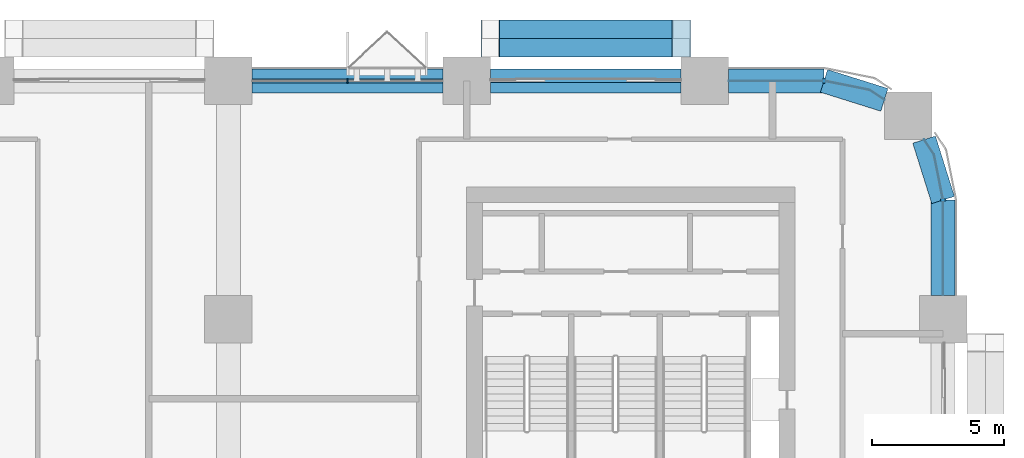
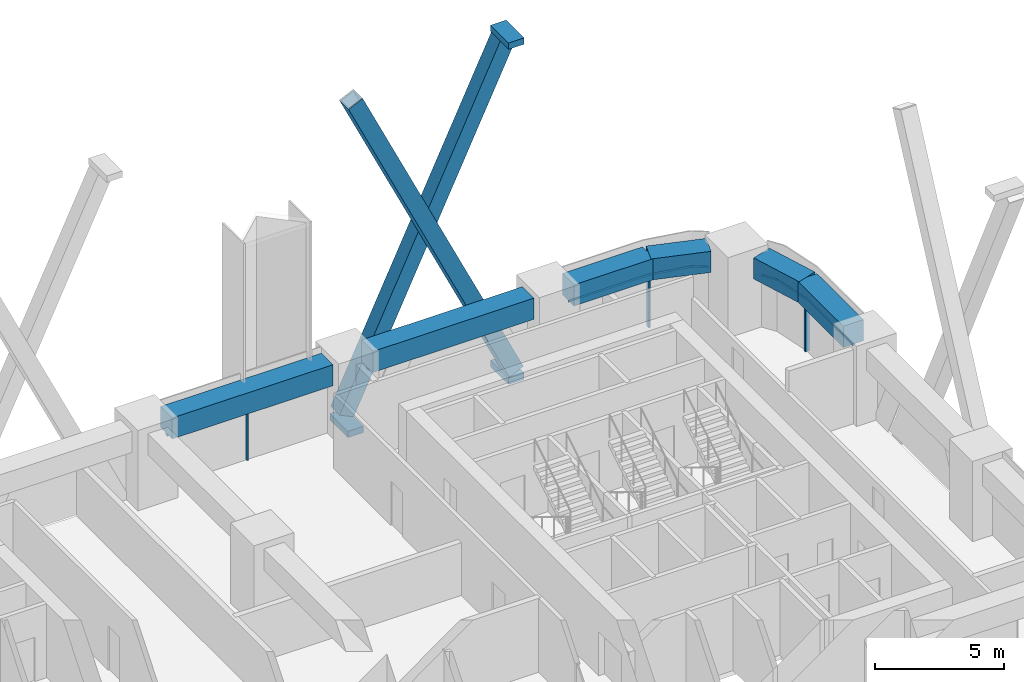
# One storey, part 9 of 22: 12 members, 6 beams, 4 elements without a shape of their own.
"""IFC4 building model written with IfcOpenShell, lengths in metres."""

import ifcopenshell
import ifcopenshell.guid

model = None  # the IFC model being written
_history = None  # IfcOwnerHistory: only IFC2X3 demands one
_inside = {}  # id of a spatial element -> (the spatial element, [elements in it])
_under = {}  # id of a project, library or spatial element -> (it, [spatial elements below it])
_declared = {}  # id of a project -> (the project, [libraries it declares])
_typed = {}  # id of a type object -> (the type object, [elements of that type])
_made_of = {}  # id of a material, layer set ... -> (it, [elements and type objects made of it])


def new_model(schema):
    """Start an empty IFC model of exactly this schema.

    Asked for "IFC4X3", IfcOpenShell would pick the latest addendum, in which some entities
    have other attributes; the version numbers below select the first issue.
    IFC2X3 requires an IfcOwnerHistory on every rooted entity: one is made here for all.
    """
    global model, _history
    if schema == "IFC4X3":
        model = ifcopenshell.file(schema_version=(4, 3, 0, 0))
    else:
        model = ifcopenshell.file(schema=schema)
    _inside.clear()
    _under.clear()
    _declared.clear()
    _typed.clear()
    _made_of.clear()
    _history = None
    if model.schema == "IFC2X3":
        org = make("IfcOrganization", Name="unknown")
        user = make(
            "IfcPersonAndOrganization",
            ThePerson=make("IfcPerson", FamilyName="unknown"),
            TheOrganization=org,
        )
        app = make(
            "IfcApplication",
            ApplicationDeveloper=org,
            Version="unknown",
            ApplicationFullName="unknown",
            ApplicationIdentifier="unknown",
        )
        _history = make(
            "IfcOwnerHistory",
            OwningUser=user,
            OwningApplication=app,
            ChangeAction="ADDED",
            CreationDate=0,
        )
    return model


def make(cls, **values):
    """One entity of the class cls with the attributes given. An attribute that is None is left unset."""
    return model.create_entity(
        cls, **{name: value for name, value in values.items() if value is not None}
    )


def rooted(cls, **values):
    """An entity with a GlobalId (a new one), such as an element, a storey or a relation."""
    return make(cls, GlobalId=ifcopenshell.guid.new(), OwnerHistory=_history, **values)


def si_unit(unit_type, name, prefix=None):
    """IfcSIUnit, for example si_unit("LENGTHUNIT", "METRE", prefix="MILLI")."""
    return make("IfcSIUnit", UnitType=unit_type, Prefix=prefix, Name=name)


def assignment(units):
    """IfcUnitAssignment: the units of a project."""
    return None if units is None else make("IfcUnitAssignment", Units=units)


def point(xyz):
    """IfcCartesianPoint."""
    return None if xyz is None else make("IfcCartesianPoint", Coordinates=xyz)


def direction(xyz):
    """IfcDirection."""
    return None if xyz is None else make("IfcDirection", DirectionRatios=xyz)


def frame(location, z_axis=None, x_axis=None):
    """IfcAxis2Placement3D, a coordinate frame: its origin and axes. An axis left out is left unset."""
    return make(
        "IfcAxis2Placement3D",
        Location=point(location),
        Axis=direction(z_axis),
        RefDirection=direction(x_axis),
    )


def frame_2d(location, x_axis=None):
    """IfcAxis2Placement2D, a coordinate frame in the plane: its origin and x axis."""
    return make(
        "IfcAxis2Placement2D", Location=point(location), RefDirection=direction(x_axis)
    )


def origin():
    """The frame at (0, 0, 0) with its axes left unset."""
    return frame((0.0, 0.0, 0.0))


def origin_2d():
    """The frame at (0, 0) in the plane with its x axis left unset."""
    return frame_2d((0.0, 0.0))


def place(relative_to, where):
    """IfcLocalPlacement: puts the frame where relative to a parent placement (None: the world)."""
    return make(
        "IfcLocalPlacement", PlacementRelTo=relative_to, RelativePlacement=where
    )


def context(
    kind, dimensions, precision=None, world=None, true_north=None, identifier=None
):
    """IfcGeometricRepresentationContext, for example the 3D "Model" context."""
    return make(
        "IfcGeometricRepresentationContext",
        ContextIdentifier=identifier,
        ContextType=kind,
        CoordinateSpaceDimension=dimensions,
        Precision=precision,
        WorldCoordinateSystem=world,
        TrueNorth=true_north,
    )


def subcontext(parent, identifier, kind, view, scale=None):
    """IfcGeometricRepresentationSubContext, for example "Body" below "Model"."""
    return make(
        "IfcGeometricRepresentationSubContext",
        ContextIdentifier=identifier,
        ContextType=kind,
        ParentContext=parent,
        TargetScale=scale,
        TargetView=view,
    )


def project(units=None, contexts=None):
    """IfcProject with its units and contexts."""
    return rooted(
        "IfcProject",
        Name="project",
        RepresentationContexts=contexts,
        UnitsInContext=assignment(units),
    )


def spatial(cls, under=None, at=None, **own):
    """A site, building, storey or space (cls), placed at a placement, below another one or the project."""
    s = rooted(cls, ObjectPlacement=at, **own)
    if under is not None:
        _under.setdefault(under.id(), (under, []))[1].append(s)
    return s


def polyline(points):
    """IfcPolyline through the points."""
    return make("IfcPolyline", Points=[point(p) for p in points])


def profile(cls, at=None, kind="AREA", **sizes):
    """A parametric profile (cls). Its sizes go by their IFC names, for example OverallWidth=200.0."""
    return make(cls, ProfileType=kind, Position=at, **sizes)


def rectangle(**sizes):
    """IfcRectangleProfileDef."""
    return profile("IfcRectangleProfileDef", **sizes)


def hollow_rectangle(**sizes):
    """IfcRectangleHollowProfileDef."""
    return profile("IfcRectangleHollowProfileDef", **sizes)


def outline(outer, holes=None, kind="AREA"):
    """IfcArbitraryClosedProfileDef: a profile drawn as a closed curve; with holes, ...WithVoids."""
    if holes is None:
        return make("IfcArbitraryClosedProfileDef", ProfileType=kind, OuterCurve=outer)
    return make(
        "IfcArbitraryProfileDefWithVoids",
        ProfileType=kind,
        OuterCurve=outer,
        InnerCurves=holes,
    )


def extrude(swept, where, along, depth):
    """IfcExtrudedAreaSolid: the profile swept, set in the frame where, extruded along a direction by depth."""
    return make(
        "IfcExtrudedAreaSolid",
        SweptArea=swept,
        Position=where,
        ExtrudedDirection=direction(along),
        Depth=depth,
    )


def shape(context_of_items, identifier, shape_type, items):
    """IfcShapeRepresentation: the items that make up one representation, for example the "Body"."""
    return make(
        "IfcShapeRepresentation",
        ContextOfItems=context_of_items,
        RepresentationIdentifier=identifier,
        RepresentationType=shape_type,
        Items=items,
    )


def material(Name=None, Category=None):
    """IfcMaterial."""
    return make("IfcMaterial", Name=Name, Category=Category)


def layer(
    of_material, thickness, ventilated=None, Name=None, Category=None, Priority=None
):
    """IfcMaterialLayer: one layer of a wall or slab, of a material (None: an air gap)."""
    return make(
        "IfcMaterialLayer",
        Material=of_material,
        LayerThickness=thickness,
        IsVentilated=ventilated,
        Name=Name,
        Category=Category,
        Priority=Priority,
    )


def layer_set(layers, Name=None):
    """IfcMaterialLayerSet."""
    return make("IfcMaterialLayerSet", MaterialLayers=layers, LayerSetName=Name)


def material_profile(
    of_material, cross_section, Name=None, Category=None, Priority=None
):
    """IfcMaterialProfile: a cross section and its material."""
    return make(
        "IfcMaterialProfile",
        Name=Name,
        Material=of_material,
        Profile=cross_section,
        Priority=Priority,
        Category=Category,
    )


def profile_set(profiles, Name=None, composite=None):
    """IfcMaterialProfileSet."""
    return make(
        "IfcMaterialProfileSet",
        Name=Name,
        MaterialProfiles=profiles,
        CompositeProfile=composite,
    )


def made_of(thing, what):
    """Note that an element or type object is made of a material, layer set ...; save() writes the relation."""
    if what is not None:
        _made_of.setdefault(what.id(), (what, []))[1].append(thing)
    return thing


def type_object(cls, material=None, **own):
    """A type object (cls), such as IfcWallType, which elements share."""
    return made_of(rooted(cls, **own), material)


def element(
    cls,
    number,
    at=None,
    inside=None,
    cuts=None,
    type_object=None,
    material=None,
    context=None,
    identifier="Body",
    shape_type=None,
    held_by="IfcProductDefinitionShape",
    body=None,
    shapes=None,
    **own,
):
    """One element of the class cls, such as IfcWall. Its Tag is "e" and its number.

    at: its placement. inside: the storey or other place that contains it. cuts: it is an
    opening in that element (IfcRelVoidsElement). A single representation is given by context,
    identifier, shape_type and body (its items); several are given by shapes. held_by: the class
    of the entity that holds the representations. save() writes the other relations.
    """
    e = rooted(cls, Tag="e%d" % number, ObjectPlacement=at, **own)
    if body is not None:
        shapes = [shape(context, identifier, shape_type, body)]
    if shapes is not None:
        e.Representation = make(held_by, Representations=shapes)
    if inside is not None:
        _inside.setdefault(inside.id(), (inside, []))[1].append(e)
    if cuts is not None:
        rooted(
            "IfcRelVoidsElement", RelatingBuildingElement=cuts, RelatedOpeningElement=e
        )
    if type_object is not None:
        _typed.setdefault(type_object.id(), (type_object, []))[1].append(e)
    return made_of(e, material)


def aggregate(whole, parts):
    """IfcRelAggregates: a whole, such as a stair, and the parts it consists of."""
    return rooted("IfcRelAggregates", RelatingObject=whole, RelatedObjects=parts)


def save(model, path):
    """Write the relations noted so far, then the file.

    IfcRelAggregates (storeys below a building ...), IfcRelContainedInSpatialStructure (elements
    in a storey), IfcRelDefinesByType, IfcRelAssociatesMaterial and IfcRelDeclares: one each for
    every whole, place, type object, material and project.
    """
    for whole, parts in _under.values():
        aggregate(whole, parts)
    for where, things in _inside.values():
        rooted(
            "IfcRelContainedInSpatialStructure",
            RelatedElements=things,
            RelatingStructure=where,
        )
    for kind, things in _typed.values():
        rooted("IfcRelDefinesByType", RelatedObjects=things, RelatingType=kind)
    for what, things in _made_of.values():
        rooted("IfcRelAssociatesMaterial", RelatedObjects=things, RelatingMaterial=what)
    for by, libraries in _declared.values():
        rooted("IfcRelDeclares", RelatingContext=by, RelatedDefinitions=libraries)
    model.write(path)


model = new_model("IFC4")

# Units and contexts
model_context = context("Model", 3, precision=1e-05, world=origin(), true_north=direction((0.0, 1.0)))
body_context = subcontext(model_context, "Body", "Model", "MODEL_VIEW")
ifc_project = project(units=[si_unit("LENGTHUNIT", "METRE"), si_unit("AREAUNIT", "SQUARE_METRE"), si_unit("VOLUMEUNIT", "CUBIC_METRE"), si_unit("PLANEANGLEUNIT", "RADIAN"), si_unit("MASSUNIT", "GRAM", prefix="KILO")], contexts=[model_context])

# Site, building, storey
site_placement = place(None, origin())
site = spatial("IfcSite", under=ifc_project, at=site_placement, CompositionType="ELEMENT")
building_placement = place(site_placement, origin())
building = spatial("IfcBuilding", under=site, at=building_placement, Name="Tessera Arch", CompositionType="ELEMENT")
storey_placement = place(building_placement, frame((0.0, 0.0, 77.800048828125)))
storey = spatial("IfcBuildingStorey", under=building, at=storey_placement, Name="L17", CompositionType="ELEMENT", Elevation=77.800048828125)

# Members
ifc_material_1 = material(Name="Steel A572 Gr50", Category="steel")
ifc_material_profile_1 = material_profile(ifc_material_1, hollow_rectangle(XDim=0.699951171875, YDim=0.699951171875, WallThickness=0.050048828125, at=origin_2d()), Name="BOX 700x700x50")
ifc_profile_set_1 = profile_set([ifc_material_profile_1], Name="Steel A572 Gr50")
member_type_1 = type_object("IfcMemberType", Name="Brace BOX 700x700x50 Steel A572 Gr50", PredefinedType="BRACE", material=ifc_profile_set_1)
for number, where, z_axis, x_axis, name in (
    (1, (44.10009765625, 55.25, -0.800048828125), (-0.428096952335, 0.0, 0.903732814167), (0.0, -1.0, 0.0), "Brace N54.0-0 A L17-L20"),
    (2, (36.89990234375, 55.949951171875, -0.800048828125), (0.428096952335, 0.0, 0.903732814167), (0.0, 1.0, 0.0), "Brace N54.0-0 B L17-L20"),
):
    element("IfcMember", number, at=place(storey_placement, frame(where, z_axis=z_axis, x_axis=x_axis)), inside=storey, type_object=member_type_1, Name=name, PredefinedType="BRACE", context=body_context, shape_type="SweptSolid", body=[
        extrude(hollow_rectangle(XDim=0.699951171875, YDim=0.699951171875, WallThickness=0.050048828125, at=origin_2d()), origin(), (0.0, 0.0, 1.0), 16.819091796875),
    ])

# Curtain wall, members
ifc_material_2 = material(Name="CW1 curtain wall")
curtain_wall_type_1 = type_object("IfcCurtainWallType", Name="CW1 curtain wall", PredefinedType="NOTDEFINED", material=ifc_material_2)
curtain_wall_1_placement = place(storey_placement, origin())
curtain_wall_1 = element("IfcCurtainWall", 3, at=curtain_wall_1_placement, inside=storey, type_object=curtain_wall_type_1, Name="CW1 curtain wall N54.0/1 L17", PredefinedType="NOTDEFINED")
ifc_material_3 = material(Name="Anodised aluminium pale metal", Category="aluminium")
ifc_material_profile_2 = material_profile(ifc_material_3, rectangle(XDim=0.159912109375, YDim=0.06005859375, at=origin_2d()), Name="AL 60x160")
ifc_profile_set_2 = profile_set([ifc_material_profile_2], Name="Anodised aluminium pale metal")
member_type_2 = type_object("IfcMemberType", Name="CW1 mullion", PredefinedType="MULLION", material=ifc_profile_set_2)
member_1_placement = place(storey_placement, frame((31.5, 54.0, 0.0), z_axis=(0.0, 0.0, 1.0), x_axis=(0.0, -1.0, 0.0)))
member_1 = element("IfcMember", 4, at=member_1_placement, type_object=member_type_2, Name="CW1 mullion N54.0/1 1", PredefinedType="MULLION", context=body_context, shape_type="SweptSolid", body=[
    extrude(rectangle(XDim=0.159912109375, YDim=0.06005859375, at=origin_2d()), origin(), (0.0, 0.0, 1.0), 2.39990234375),
])
ifc_material_4 = material(Name="Anodised aluminium pale metal", Category="aluminium")
ifc_material_profile_3 = material_profile(ifc_material_4, rectangle(XDim=0.159912109375, YDim=0.10009765625, at=origin_2d()), Name="AL 160x100")
ifc_profile_set_3 = profile_set([ifc_material_profile_3], Name="Anodised aluminium pale metal")
member_type_3 = type_object("IfcMemberType", Name="CW1 transom", PredefinedType="USERDEFINED", material=ifc_profile_set_3)
member_2_placement = place(storey_placement, frame((35.10009765625, 54.0, 2.449951171875), z_axis=(-1.0, 0.0, 0.0), x_axis=(0.0, -1.0, 0.0)))
member_2 = element("IfcMember", 5, at=member_2_placement, type_object=member_type_3, Name="CW1 transom N54.0/1 1.1", ObjectType="TRANSOM", PredefinedType="USERDEFINED", context=body_context, shape_type="SweptSolid", body=[
    extrude(rectangle(XDim=0.159912109375, YDim=0.10009765625, at=origin_2d()), origin(), (0.0, 0.0, 1.0), 7.2001953125),
])
aggregate(curtain_wall_1, [member_1, member_2])

# Curtain wall, member
ifc_material_5 = material(Name="CW2 curtain wall")
curtain_wall_type_2 = type_object("IfcCurtainWallType", Name="CW2 curtain wall", PredefinedType="NOTDEFINED", material=ifc_material_5)
curtain_wall_2_placement = place(storey_placement, origin())
curtain_wall_2 = element("IfcCurtainWall", 6, at=curtain_wall_2_placement, inside=storey, type_object=curtain_wall_type_2, Name="CW2 curtain wall E54.0/5 L17", PredefinedType="NOTDEFINED")
ifc_material_6 = material(Name="Anodised aluminium pale metal", Category="aluminium")
ifc_material_profile_4 = material_profile(ifc_material_6, rectangle(XDim=0.199951171875, YDim=0.080078125, at=origin_2d()), Name="AL 80x200")
ifc_profile_set_4 = profile_set([ifc_material_profile_4], Name="Anodised aluminium pale metal")
member_type_4 = type_object("IfcMemberType", Name="CW2 mullion", PredefinedType="MULLION", material=ifc_profile_set_4)
member_3_placement = place(storey_placement, frame((54.0, 49.5, 0.0), z_axis=(0.0, 0.0, 1.0), x_axis=(-1.0, 0.0, 0.0)))
member_3 = element("IfcMember", 7, at=member_3_placement, type_object=member_type_4, Name="CW2 mullion E54.0/5 1", PredefinedType="MULLION", context=body_context, shape_type="SweptSolid", body=[
    extrude(rectangle(XDim=0.199951171875, YDim=0.080078125, at=origin_2d()), origin(), (0.0, 0.0, 1.0), 2.39990234375),
])

curtain_wall_3_placement = place(storey_placement, origin())
curtain_wall_3 = element("IfcCurtainWall", 8, at=curtain_wall_3_placement, inside=storey, type_object=curtain_wall_type_2, Name="CW2 curtain wall N54.0/5 L17", PredefinedType="NOTDEFINED")
member_4_placement = place(storey_placement, frame((49.5, 54.0, 0.0), z_axis=(0.0, 0.0, 1.0), x_axis=(0.0, -1.0, 0.0)))
member_4 = element("IfcMember", 9, at=member_4_placement, type_object=member_type_4, Name="CW2 mullion N54.0/5 1", PredefinedType="MULLION", context=body_context, shape_type="SweptSolid", body=[
    extrude(rectangle(XDim=0.199951171875, YDim=0.080078125, at=origin_2d()), origin(), (0.0, 0.0, 1.0), 2.39990234375),
])

# Member
ifc_material_7 = material(Name="Anodised aluminium pale metal", Category="aluminium")
ifc_material_profile_5 = material_profile(ifc_material_7, rectangle(XDim=0.199951171875, YDim=0.10009765625, at=origin_2d()), Name="AL 200x100")
ifc_profile_set_5 = profile_set([ifc_material_profile_5], Name="Anodised aluminium pale metal")
member_type_5 = type_object("IfcMemberType", Name="CW2 transom", PredefinedType="USERDEFINED", material=ifc_profile_set_5)
member_5_placement = place(storey_placement, frame((0.0, 0.0, 2.39990234375)))
member_5 = element("IfcMember", 10, at=member_5_placement, type_object=member_type_5, Name="CW2 transom E54.0/5 1", ObjectType="TRANSOM", PredefinedType="USERDEFINED", context=body_context, shape_type="SweptSolid", body=[
    extrude(outline(polyline([(53.989990234375, 49.4990234375), (53.989990234375, 45.89990234375), (54.010009765625, 45.89990234375), (54.010009765625, 49.5009765625), (53.6669921875, 51.22607421875), (53.29150390625, 51.78759765625), (53.27490234375, 51.7763671875), (53.648193359375, 51.21826171875), (53.989990234375, 49.4990234375)])), origin(), (0.0, 0.0, 1.0), 0.10009765625),
])

aggregate(curtain_wall_2, [member_3, member_5])

member_6_placement = place(storey_placement, frame((0.0, 0.0, 2.39990234375)))
member_6 = element("IfcMember", 11, at=member_6_placement, type_object=member_type_5, Name="CW2 transom N54.0/5 1", ObjectType="TRANSOM", PredefinedType="USERDEFINED", context=body_context, shape_type="SweptSolid", body=[
    extrude(outline(polyline([(51.21826171875, 53.648193359375), (51.7763671875, 53.27490234375), (51.78759765625, 53.29150390625), (51.22607421875, 53.6669921875), (49.5009765625, 54.010009765625), (45.89990234375, 54.010009765625), (45.89990234375, 53.989990234375), (49.4990234375, 53.989990234375), (51.21826171875, 53.648193359375)])), origin(), (0.0, 0.0, 1.0), 0.10009765625),
])

aggregate(curtain_wall_3, [member_4, member_6])

# Curtain wall, member
ifc_material_8 = material(Name="CW3 curtain wall")
curtain_wall_type_3 = type_object("IfcCurtainWallType", Name="CW3 curtain wall", PredefinedType="NOTDEFINED", material=ifc_material_8)
curtain_wall_4_placement = place(storey_placement, origin())
curtain_wall_4 = element("IfcCurtainWall", 12, at=curtain_wall_4_placement, inside=storey, type_object=curtain_wall_type_3, Name="CW3 curtain wall N54.0/0 L17", PredefinedType="NOTDEFINED")
ifc_material_9 = material(Name="Anodised aluminium pale metal", Category="aluminium")
ifc_material_profile_6 = material_profile(ifc_material_9, rectangle(XDim=0.139892578125, YDim=0.10009765625, at=origin_2d()), Name="AL 140x100")
ifc_profile_set_6 = profile_set([ifc_material_profile_6], Name="Anodised aluminium pale metal")
member_type_6 = type_object("IfcMemberType", Name="CW3 transom", PredefinedType="USERDEFINED", material=ifc_profile_set_6)
member_7_placement = place(storey_placement, frame((44.10009765625, 54.0, 2.449951171875), z_axis=(-1.0, 0.0, 0.0), x_axis=(0.0, -1.0, 0.0)))
member_7 = element("IfcMember", 13, at=member_7_placement, type_object=member_type_6, Name="CW3 transom N54.0/0 1.1", ObjectType="TRANSOM", PredefinedType="USERDEFINED", context=body_context, shape_type="SweptSolid", body=[
    extrude(rectangle(XDim=0.139892578125, YDim=0.10009765625, at=origin_2d()), origin(), (0.0, 0.0, 1.0), 7.2001953125),
])
aggregate(curtain_wall_4, [member_7])

# Members
ifc_material_10 = material(Name="Steel A572 Gr50", Category="steel")
ifc_layer = layer(ifc_material_10, 0.050048828125)
ifc_layer_set = layer_set([ifc_layer], Name="Node block Steel A572 Gr50")
member_type_7 = type_object("IfcMemberType", Name="Node block Steel A572 Gr50", PredefinedType="PLATE", material=ifc_layer_set)
for number, where, z_axis, x_axis, name in (
    (14, (36.89990234375, 55.60009765625, -1.2861328125), (0.0, 0.0, 1.0), (-1.0, 0.0, 0.0), "Node block seat N54.0-0 1 L17"),
    (15, (44.10009765625, 55.60009765625, -1.2861328125), (0.0, 0.0, 1.0), (-1.0, 0.0, 0.0), "Node block seat N54.0-0 2 L17"),
    (16, (44.10009765625, 55.60009765625, 14.5859375), (0.0, 0.0, 1.0), (-1.0, 0.0, 0.0), "Node block head N54.0-0 B L17"),
):
    element("IfcMember", number, at=place(storey_placement, frame(where, z_axis=z_axis, x_axis=x_axis)), inside=storey, type_object=member_type_7, Name=name, PredefinedType="PLATE", context=body_context, shape_type="SweptSolid", body=[
        extrude(rectangle(XDim=0.699951171875, YDim=1.39990234375, at=origin_2d()), origin(), (0.0, 0.0, 1.0), 0.300048828125),
    ])

# Beams
ifc_material_11 = material(Name="Concrete C80/95", Category="concrete")
ifc_material_profile_7 = material_profile(ifc_material_11, rectangle(XDim=0.89990234375, YDim=1.0, at=origin_2d()), Name="RC spandrel beam 900 x 1000 Concrete C80/95")
ifc_profile_set_7 = profile_set([ifc_material_profile_7], Name="Concrete C80/95")
beam_type = type_object("IfcBeamType", Name="RC spandrel beam 900 x 1000 Concrete C80/95", PredefinedType="BEAM", material=ifc_profile_set_7)
for number, where, z_axis, x_axis, name in (
    (17, (44.10009765625, 54.0, 3.0), (-1.0, 0.0, 0.0), (0.0, -1.0, 0.0), "Spandrel beam L17 N54.0/0"),
    (18, (35.10009765625, 54.0, 3.0), (-1.0, 0.0, 0.0), (0.0, -1.0, 0.0), "Spandrel beam L17 N54.0/1"),
):
    element("IfcBeam", number, at=place(storey_placement, frame(where, z_axis=z_axis, x_axis=x_axis)), inside=storey, type_object=beam_type, Name=name, PredefinedType="BEAM", context=body_context, shape_type="SweptSolid", body=[
        extrude(rectangle(XDim=0.89990234375, YDim=1.0, at=origin_2d()), origin(), (0.0, 0.0, 1.0), 7.2001953125),
    ])
beam_1_placement = place(storey_placement, frame((54.0, 45.89990234375, 3.0), z_axis=(0.0, 1.0, 0.0), x_axis=(-1.0, 0.0, 0.0)))
element("IfcBeam", 19, at=beam_1_placement, inside=storey, type_object=beam_type, Name="Spandrel beam L17 E54.0/5.1", PredefinedType="BEAM", context=body_context, shape_type="SweptSolid", body=[
    extrude(rectangle(XDim=0.89990234375, YDim=1.0, at=origin_2d()), origin(), (0.0, 0.0, 1.0), 3.60009765625),
])
for number, where, z_axis, x_axis, name in (
    (20, (54.0, 49.5, 3.0), (-0.299675309057, 0.954041251279, 0.0), (-0.954041251279, -0.299675309057, 0.0), "Spandrel beam L17 E54.0/5.2"),
    (21, (51.781982421875, 53.283203125, 3.0), (-0.954041251279, 0.299675309057, 0.0), (-0.299675309057, -0.954041251279, 0.0), "Spandrel beam L17 N54.0/5.1"),
):
    element("IfcBeam", number, at=place(storey_placement, frame(where, z_axis=z_axis, x_axis=x_axis)), inside=storey, type_object=beam_type, Name=name, PredefinedType="BEAM", context=body_context, shape_type="SweptSolid", body=[
        extrude(rectangle(XDim=0.89990234375, YDim=1.0, at=origin_2d()), origin(), (0.0, 0.0, 1.0), 2.391845703125),
    ])
beam_2_placement = place(storey_placement, frame((49.5, 54.0, 3.0), z_axis=(-1.0, 0.0, 0.0), x_axis=(0.0, -1.0, 0.0)))
element("IfcBeam", 22, at=beam_2_placement, inside=storey, type_object=beam_type, Name="Spandrel beam L17 N54.0/5.2", PredefinedType="BEAM", context=body_context, shape_type="SweptSolid", body=[
    extrude(rectangle(XDim=0.89990234375, YDim=1.0, at=origin_2d()), origin(), (0.0, 0.0, 1.0), 3.60009765625),
])

save(model, "model.ifc")
